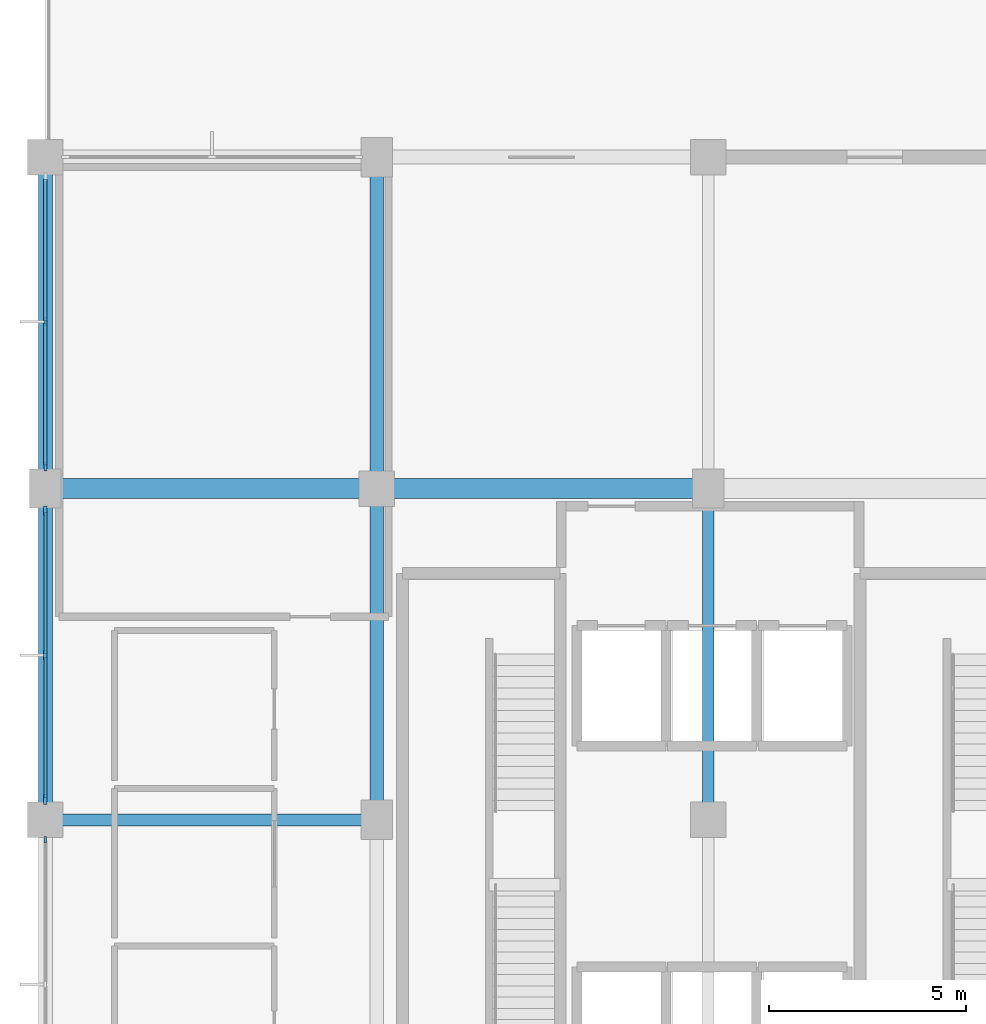
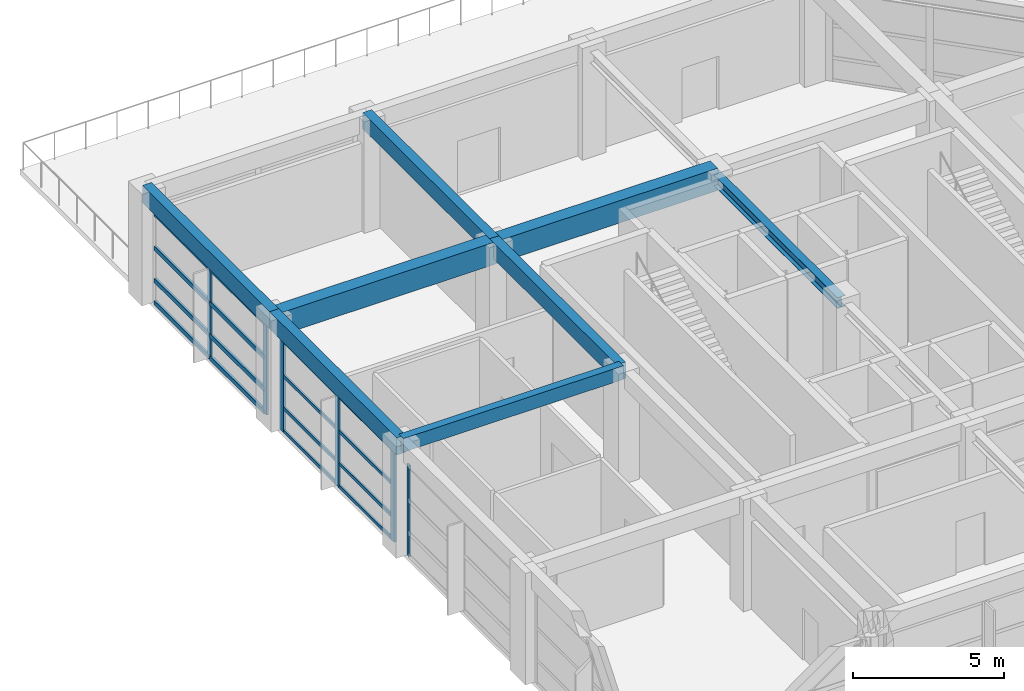
# One storey, part 4 of 10: 22 members, 8 beams, 3 elements without a shape of their own.
"""IFC4 building model written with IfcOpenShell, lengths in metres."""

from ifc_helpers import new_model, si_unit, direction, frame, origin, origin_2d, place, context, subcontext, project, spatial, rectangle, i_section, extrude, material, material_profile, profile_set, type_object, element, aggregate, save


model = new_model("IFC4")

# Units and contexts
model_context = context("Model", 3, precision=1e-05, world=origin(), true_north=direction((0.0, 1.0)))
body_context = subcontext(model_context, "Body", "Model", "MODEL_VIEW")
ifc_project = project(units=[si_unit("LENGTHUNIT", "METRE"), si_unit("AREAUNIT", "SQUARE_METRE"), si_unit("VOLUMEUNIT", "CUBIC_METRE"), si_unit("PLANEANGLEUNIT", "RADIAN"), si_unit("MASSUNIT", "GRAM", prefix="KILO")], contexts=[model_context])

# Site, building, storey
site_placement = place(None, origin())
site = spatial("IfcSite", under=ifc_project, at=site_placement, CompositionType="ELEMENT")
building_placement = place(site_placement, origin())
building = spatial("IfcBuilding", under=site, at=building_placement, Name="Xuanlan Plaza Opera House", CompositionType="ELEMENT")
storey_placement = place(building_placement, frame((0.0, 0.0, 69.89990234375)))
storey = spatial("IfcBuildingStorey", under=building, at=storey_placement, Name="L16", CompositionType="ELEMENT", Elevation=69.89990234375)

# Curtain wall, member
ifc_material_1 = material(Name="Anodised Aluminium 6063-T6 and Low-E Glass", Category="aluminium")
curtain_wall_type_1 = type_object("IfcCurtainWallType", Name="ENV-CW-CW-03", PredefinedType="USERDEFINED", material=ifc_material_1)
curtain_wall_1_placement = place(storey_placement, origin())
curtain_wall_1 = element("IfcCurtainWall", 1, at=curtain_wall_1_placement, inside=storey, type_object=curtain_wall_type_1, Name="Unitised Curtain Wall L16-013", ObjectType="UNITISED CURTAIN WALL", PredefinedType="USERDEFINED")
ifc_material_2 = material(Name="Anodised Aluminium 6063-T6", Category="aluminium")
ifc_material_profile_1 = material_profile(ifc_material_2, rectangle(XDim=0.06494140625, YDim=0.159912109375, at=origin_2d()), Name="ALU-M 65x160")
ifc_profile_set_1 = profile_set([ifc_material_profile_1], Name="Anodised Aluminium 6063-T6")
member_type_1 = type_object("IfcMemberType", Name="ENV-CWM-01", PredefinedType="MULLION", material=ifc_profile_set_1)
member_1_placement = place(storey_placement, frame((126.0, 58.297607421875, 0.0), z_axis=(0.0, 0.0, 1.0), x_axis=(1.0, 0.0, 0.0)))
member_1 = element("IfcMember", 2, at=member_1_placement, type_object=member_type_1, Name="CW-03 mullion 1", PredefinedType="MULLION", context=body_context, shape_type="SweptSolid", body=[
    extrude(rectangle(XDim=0.06494140625, YDim=0.159912109375, at=origin_2d()), origin(), (0.0, 0.0, 1.0), 3.68017578125),
])
aggregate(curtain_wall_1, [member_1])

# Curtain wall, members
curtain_wall_type_2 = type_object("IfcCurtainWallType", Name="ENV-CW-CW-01", PredefinedType="USERDEFINED", material=ifc_material_1)
curtain_wall_2_placement = place(storey_placement, origin())
curtain_wall_2 = element("IfcCurtainWall", 3, at=curtain_wall_2_placement, inside=storey, type_object=curtain_wall_type_2, Name="Unitised Curtain Wall L16-011", ObjectType="UNITISED CURTAIN WALL", PredefinedType="USERDEFINED")
ifc_material_profile_2 = material_profile(ifc_material_2, rectangle(XDim=0.080078125, YDim=0.219970703125, at=origin_2d()), Name="ALU-M 80x220")
ifc_profile_set_2 = profile_set([ifc_material_profile_2], Name="Anodised Aluminium 6063-T6")
member_type_2 = type_object("IfcMemberType", Name="ENV-CWM-04", PredefinedType="MULLION", material=ifc_profile_set_2)
member_2_placement = place(storey_placement, frame((126.0, 71.425048828125, 0.0), z_axis=(0.0, 0.0, 1.0), x_axis=(1.0, 0.0, 0.0)))
member_2 = element("IfcMember", 4, at=member_2_placement, type_object=member_type_2, Name="CW-01 mullion 2", PredefinedType="MULLION", context=body_context, shape_type="SweptSolid", body=[
    extrude(rectangle(XDim=0.080078125, YDim=0.219970703125, at=origin_2d()), origin(), (0.0, 0.0, 1.0), 3.68017578125),
])
member_3_placement = place(storey_placement, frame((126.0, 67.760009765625, 0.0), z_axis=(0.0, 0.0, 1.0), x_axis=(1.0, 0.0, 0.0)))
member_3 = element("IfcMember", 5, at=member_3_placement, type_object=member_type_2, Name="CW-01 mullion 3", PredefinedType="MULLION", context=body_context, shape_type="SweptSolid", body=[
    extrude(rectangle(XDim=0.080078125, YDim=0.219970703125, at=origin_2d()), origin(), (0.0, 0.0, 1.0), 3.68017578125),
])

curtain_wall_type_3 = type_object("IfcCurtainWallType", Name="ENV-CW-CW-02", PredefinedType="USERDEFINED", material=ifc_material_1)
curtain_wall_3_placement = place(storey_placement, origin())
curtain_wall_3 = element("IfcCurtainWall", 6, at=curtain_wall_3_placement, inside=storey, type_object=curtain_wall_type_3, Name="Unitised Curtain Wall L16-012", ObjectType="UNITISED CURTAIN WALL", PredefinedType="USERDEFINED")
ifc_material_profile_3 = material_profile(ifc_material_2, rectangle(XDim=0.090087890625, YDim=0.25, at=origin_2d()), Name="ALU-M 90x250")
ifc_profile_set_3 = profile_set([ifc_material_profile_3], Name="Anodised Aluminium 6063-T6")
member_type_3 = type_object("IfcMemberType", Name="ENV-CWM-05", PredefinedType="MULLION", material=ifc_profile_set_3)
member_4_placement = place(storey_placement, frame((126.0, 66.635009765625, 0.0), z_axis=(0.0, 0.0, 1.0), x_axis=(1.0, 0.0, 0.0)))
member_4 = element("IfcMember", 7, at=member_4_placement, type_object=member_type_3, Name="CW-02 mullion 1", PredefinedType="MULLION", context=body_context, shape_type="SweptSolid", body=[
    extrude(rectangle(XDim=0.090087890625, YDim=0.25, at=origin_2d()), origin(), (0.0, 0.0, 1.0), 3.68017578125),
])
member_5_placement = place(storey_placement, frame((126.0, 62.97509765625, 0.0), z_axis=(0.0, 0.0, 1.0), x_axis=(1.0, 0.0, 0.0)))
member_5 = element("IfcMember", 8, at=member_5_placement, type_object=member_type_3, Name="CW-02 mullion 2", PredefinedType="MULLION", context=body_context, shape_type="SweptSolid", body=[
    extrude(rectangle(XDim=0.090087890625, YDim=0.25, at=origin_2d()), origin(), (0.0, 0.0, 1.0), 3.68017578125),
])
member_6_placement = place(storey_placement, frame((126.0, 59.31494140625, 0.0), z_axis=(0.0, 0.0, 1.0), x_axis=(1.0, 0.0, 0.0)))
member_6 = element("IfcMember", 9, at=member_6_placement, type_object=member_type_3, Name="CW-02 mullion 3", PredefinedType="MULLION", context=body_context, shape_type="SweptSolid", body=[
    extrude(rectangle(XDim=0.090087890625, YDim=0.25, at=origin_2d()), origin(), (0.0, 0.0, 1.0), 3.68017578125),
])
ifc_material_profile_4 = material_profile(ifc_material_2, rectangle(XDim=0.070068359375, YDim=0.135009765625, at=origin_2d()), Name="ALU-T 70x135")
ifc_profile_set_4 = profile_set([ifc_material_profile_4], Name="Anodised Aluminium 6063-T6")
member_type_4 = type_object("IfcMemberType", Name="ENV-CWT-02", PredefinedType="USERDEFINED", material=ifc_profile_set_4)
member_7_placement = place(storey_placement, frame((126.0, 66.590087890625, 0.03515625), z_axis=(0.0, -1.0, 0.0), x_axis=(1.0, 0.0, 0.0)))
member_7 = element("IfcMember", 10, at=member_7_placement, type_object=member_type_4, Name="CW-02 transom 1.1", ObjectType="TRANSOM", PredefinedType="USERDEFINED", context=body_context, shape_type="SweptSolid", body=[
    extrude(rectangle(XDim=0.070068359375, YDim=0.135009765625, at=origin_2d()), origin(), (0.0, 0.0, 1.0), 3.570068359375),
])
member_8_placement = place(storey_placement, frame((126.0, 66.590087890625, 0.9501953125), z_axis=(0.0, -1.0, 0.0), x_axis=(1.0, 0.0, 0.0)))
member_8 = element("IfcMember", 11, at=member_8_placement, type_object=member_type_4, Name="CW-02 transom 1.2", ObjectType="TRANSOM", PredefinedType="USERDEFINED", context=body_context, shape_type="SweptSolid", body=[
    extrude(rectangle(XDim=0.070068359375, YDim=0.135009765625, at=origin_2d()), origin(), (0.0, 0.0, 1.0), 3.570068359375),
])
member_9_placement = place(storey_placement, frame((126.0, 66.590087890625, 2.25), z_axis=(0.0, -1.0, 0.0), x_axis=(1.0, 0.0, 0.0)))
member_9 = element("IfcMember", 12, at=member_9_placement, type_object=member_type_4, Name="CW-02 transom 1.3", ObjectType="TRANSOM", PredefinedType="USERDEFINED", context=body_context, shape_type="SweptSolid", body=[
    extrude(rectangle(XDim=0.070068359375, YDim=0.135009765625, at=origin_2d()), origin(), (0.0, 0.0, 1.0), 3.570068359375),
])
member_10_placement = place(storey_placement, frame((126.0, 66.590087890625, 3.64501953125), z_axis=(0.0, -1.0, 0.0), x_axis=(1.0, 0.0, 0.0)))
member_10 = element("IfcMember", 13, at=member_10_placement, type_object=member_type_4, Name="CW-02 transom 1.4", ObjectType="TRANSOM", PredefinedType="USERDEFINED", context=body_context, shape_type="SweptSolid", body=[
    extrude(rectangle(XDim=0.070068359375, YDim=0.135009765625, at=origin_2d()), origin(), (0.0, 0.0, 1.0), 3.570068359375),
])
member_11_placement = place(storey_placement, frame((126.0, 62.929931640625, 0.03515625), z_axis=(0.0, -1.0, 0.0), x_axis=(1.0, 0.0, 0.0)))
member_11 = element("IfcMember", 14, at=member_11_placement, type_object=member_type_4, Name="CW-02 transom 2.1", ObjectType="TRANSOM", PredefinedType="USERDEFINED", context=body_context, shape_type="SweptSolid", body=[
    extrude(rectangle(XDim=0.070068359375, YDim=0.135009765625, at=origin_2d()), origin(), (0.0, 0.0, 1.0), 3.56982421875),
])
member_12_placement = place(storey_placement, frame((126.0, 62.929931640625, 0.9501953125), z_axis=(0.0, -1.0, 0.0), x_axis=(1.0, 0.0, 0.0)))
member_12 = element("IfcMember", 15, at=member_12_placement, type_object=member_type_4, Name="CW-02 transom 2.2", ObjectType="TRANSOM", PredefinedType="USERDEFINED", context=body_context, shape_type="SweptSolid", body=[
    extrude(rectangle(XDim=0.070068359375, YDim=0.135009765625, at=origin_2d()), origin(), (0.0, 0.0, 1.0), 3.56982421875),
])
member_13_placement = place(storey_placement, frame((126.0, 62.929931640625, 2.25), z_axis=(0.0, -1.0, 0.0), x_axis=(1.0, 0.0, 0.0)))
member_13 = element("IfcMember", 16, at=member_13_placement, type_object=member_type_4, Name="CW-02 transom 2.3", ObjectType="TRANSOM", PredefinedType="USERDEFINED", context=body_context, shape_type="SweptSolid", body=[
    extrude(rectangle(XDim=0.070068359375, YDim=0.135009765625, at=origin_2d()), origin(), (0.0, 0.0, 1.0), 3.56982421875),
])
member_14_placement = place(storey_placement, frame((126.0, 62.929931640625, 3.64501953125), z_axis=(0.0, -1.0, 0.0), x_axis=(1.0, 0.0, 0.0)))
member_14 = element("IfcMember", 17, at=member_14_placement, type_object=member_type_4, Name="CW-02 transom 2.4", ObjectType="TRANSOM", PredefinedType="USERDEFINED", context=body_context, shape_type="SweptSolid", body=[
    extrude(rectangle(XDim=0.070068359375, YDim=0.135009765625, at=origin_2d()), origin(), (0.0, 0.0, 1.0), 3.56982421875),
])
aggregate(curtain_wall_3, [member_4, member_5, member_6, member_7, member_8, member_9, member_10, member_11, member_12, member_13, member_14])

# Member
ifc_material_profile_5 = material_profile(ifc_material_2, rectangle(XDim=0.090087890625, YDim=0.179931640625, at=origin_2d()), Name="ALU-T 90x180")
ifc_profile_set_5 = profile_set([ifc_material_profile_5], Name="Anodised Aluminium 6063-T6")
member_type_5 = type_object("IfcMemberType", Name="ENV-CWT-05", PredefinedType="USERDEFINED", material=ifc_profile_set_5)
member_15_placement = place(storey_placement, frame((126.0, 75.050048828125, 0.045166015625), z_axis=(0.0, -1.0, 0.0), x_axis=(1.0, 0.0, 0.0)))
member_15 = element("IfcMember", 18, at=member_15_placement, type_object=member_type_5, Name="CW-01 transom 1.1", ObjectType="TRANSOM", PredefinedType="USERDEFINED", context=body_context, shape_type="SweptSolid", body=[
    extrude(rectangle(XDim=0.090087890625, YDim=0.179931640625, at=origin_2d()), origin(), (0.0, 0.0, 1.0), 3.5849609375),
])

member_16_placement = place(storey_placement, frame((126.0, 75.050048828125, 0.9501953125), z_axis=(0.0, -1.0, 0.0), x_axis=(1.0, 0.0, 0.0)))
member_16 = element("IfcMember", 19, at=member_16_placement, type_object=member_type_5, Name="CW-01 transom 1.2", ObjectType="TRANSOM", PredefinedType="USERDEFINED", context=body_context, shape_type="SweptSolid", body=[
    extrude(rectangle(XDim=0.090087890625, YDim=0.179931640625, at=origin_2d()), origin(), (0.0, 0.0, 1.0), 3.5849609375),
])

member_17_placement = place(storey_placement, frame((126.0, 75.050048828125, 2.25), z_axis=(0.0, -1.0, 0.0), x_axis=(1.0, 0.0, 0.0)))
member_17 = element("IfcMember", 20, at=member_17_placement, type_object=member_type_5, Name="CW-01 transom 1.3", ObjectType="TRANSOM", PredefinedType="USERDEFINED", context=body_context, shape_type="SweptSolid", body=[
    extrude(rectangle(XDim=0.090087890625, YDim=0.179931640625, at=origin_2d()), origin(), (0.0, 0.0, 1.0), 3.5849609375),
])

member_18_placement = place(storey_placement, frame((126.0, 75.050048828125, 3.635009765625), z_axis=(0.0, -1.0, 0.0), x_axis=(1.0, 0.0, 0.0)))
member_18 = element("IfcMember", 21, at=member_18_placement, type_object=member_type_5, Name="CW-01 transom 1.4", ObjectType="TRANSOM", PredefinedType="USERDEFINED", context=body_context, shape_type="SweptSolid", body=[
    extrude(rectangle(XDim=0.090087890625, YDim=0.179931640625, at=origin_2d()), origin(), (0.0, 0.0, 1.0), 3.5849609375),
])

member_19_placement = place(storey_placement, frame((126.0, 71.385009765625, 0.045166015625), z_axis=(0.0, -1.0, 0.0), x_axis=(1.0, 0.0, 0.0)))
member_19 = element("IfcMember", 22, at=member_19_placement, type_object=member_type_5, Name="CW-01 transom 2.1", ObjectType="TRANSOM", PredefinedType="USERDEFINED", context=body_context, shape_type="SweptSolid", body=[
    extrude(rectangle(XDim=0.090087890625, YDim=0.179931640625, at=origin_2d()), origin(), (0.0, 0.0, 1.0), 3.5849609375),
])

member_20_placement = place(storey_placement, frame((126.0, 71.385009765625, 0.9501953125), z_axis=(0.0, -1.0, 0.0), x_axis=(1.0, 0.0, 0.0)))
member_20 = element("IfcMember", 23, at=member_20_placement, type_object=member_type_5, Name="CW-01 transom 2.2", ObjectType="TRANSOM", PredefinedType="USERDEFINED", context=body_context, shape_type="SweptSolid", body=[
    extrude(rectangle(XDim=0.090087890625, YDim=0.179931640625, at=origin_2d()), origin(), (0.0, 0.0, 1.0), 3.5849609375),
])

member_21_placement = place(storey_placement, frame((126.0, 71.385009765625, 2.25), z_axis=(0.0, -1.0, 0.0), x_axis=(1.0, 0.0, 0.0)))
member_21 = element("IfcMember", 24, at=member_21_placement, type_object=member_type_5, Name="CW-01 transom 2.3", ObjectType="TRANSOM", PredefinedType="USERDEFINED", context=body_context, shape_type="SweptSolid", body=[
    extrude(rectangle(XDim=0.090087890625, YDim=0.179931640625, at=origin_2d()), origin(), (0.0, 0.0, 1.0), 3.5849609375),
])

member_22_placement = place(storey_placement, frame((126.0, 71.385009765625, 3.635009765625), z_axis=(0.0, -1.0, 0.0), x_axis=(1.0, 0.0, 0.0)))
member_22 = element("IfcMember", 25, at=member_22_placement, type_object=member_type_5, Name="CW-01 transom 2.4", ObjectType="TRANSOM", PredefinedType="USERDEFINED", context=body_context, shape_type="SweptSolid", body=[
    extrude(rectangle(XDim=0.090087890625, YDim=0.179931640625, at=origin_2d()), origin(), (0.0, 0.0, 1.0), 3.5849609375),
])

aggregate(curtain_wall_2, [member_2, member_3, member_15, member_16, member_17, member_18, member_19, member_20, member_21, member_22])

# Beams
ifc_material_3 = material(Name="Concrete C40", Category="concrete")
ifc_material_profile_6 = material_profile(ifc_material_3, rectangle(XDim=0.5, YDim=0.89990234375, at=origin_2d()), Name="RC-BM 500x900")
ifc_profile_set_6 = profile_set([ifc_material_profile_6], Name="Concrete C40")
beam_type_1 = type_object("IfcBeamType", Name="STR-BM-B-03", PredefinedType="BEAM", material=ifc_profile_set_6)
beam_1_placement = place(storey_placement, frame((126.0, 67.199951171875, 4.050048828125), z_axis=(1.0, 0.0, 0.0), x_axis=(0.0, 1.0, 0.0)))
element("IfcBeam", 26, at=beam_1_placement, inside=storey, type_object=beam_type_1, Name="Grid Beam X L16 16-17/I", PredefinedType="BEAM", context=body_context, shape_type="SweptSolid", body=[
    extrude(rectangle(XDim=0.5, YDim=0.89990234375, at=origin_2d()), origin(), (0.0, 0.0, 1.0), 8.39990234375),
])
beam_2_placement = place(storey_placement, frame((134.39990234375, 67.199951171875, 4.050048828125), z_axis=(1.0, 0.0, 0.0), x_axis=(0.0, 1.0, 0.0)))
element("IfcBeam", 27, at=beam_2_placement, inside=storey, type_object=beam_type_1, Name="Grid Beam X L16 17-18/I", PredefinedType="BEAM", context=body_context, shape_type="SweptSolid", body=[
    extrude(rectangle(XDim=0.5, YDim=0.89990234375, at=origin_2d()), origin(), (0.0, 0.0, 1.0), 8.400146484375),
])
ifc_material_profile_7 = material_profile(ifc_material_3, rectangle(XDim=0.35009765625, YDim=0.64990234375, at=origin_2d()), Name="RC-BM 350x650")
ifc_profile_set_7 = profile_set([ifc_material_profile_7], Name="Concrete C40")
beam_type_2 = type_object("IfcBeamType", Name="STR-BM-B-08", PredefinedType="BEAM", material=ifc_profile_set_7)
beam_3_placement = place(storey_placement, frame((134.39990234375, 58.800048828125, 4.175048828125), z_axis=(0.0, 1.0, 0.0), x_axis=(-1.0, 0.0, 0.0)))
element("IfcBeam", 28, at=beam_3_placement, inside=storey, type_object=beam_type_2, Name="Grid Beam Y L16 17/H-I", PredefinedType="BEAM", context=body_context, shape_type="SweptSolid", body=[
    extrude(rectangle(XDim=0.35009765625, YDim=0.64990234375, at=origin_2d()), origin(), (0.0, 0.0, 1.0), 8.39990234375),
])
beam_4_placement = place(storey_placement, frame((134.39990234375, 67.199951171875, 4.175048828125), z_axis=(0.0, 1.0, 0.0), x_axis=(-1.0, 0.0, 0.0)))
element("IfcBeam", 29, at=beam_4_placement, inside=storey, type_object=beam_type_2, Name="Grid Beam Y L16 17/I-J", PredefinedType="BEAM", context=body_context, shape_type="SweptSolid", body=[
    extrude(rectangle(XDim=0.35009765625, YDim=0.64990234375, at=origin_2d()), origin(), (0.0, 0.0, 1.0), 8.400146484375),
])
ifc_material_profile_8 = material_profile(ifc_material_3, rectangle(XDim=0.300048828125, YDim=0.550048828125, at=origin_2d()), Name="RC-BM 300x550")
ifc_profile_set_8 = profile_set([ifc_material_profile_8], Name="Concrete C40")
beam_type_3 = type_object("IfcBeamType", Name="STR-BM-B-09", PredefinedType="BEAM", material=ifc_profile_set_8)
beam_5_placement = place(storey_placement, frame((126.0, 58.800048828125, 4.22509765625), z_axis=(1.0, 0.0, 0.0), x_axis=(0.0, 1.0, 0.0)))
element("IfcBeam", 30, at=beam_5_placement, inside=storey, type_object=beam_type_3, Name="Grid Beam X L16 16-17/H", PredefinedType="BEAM", context=body_context, shape_type="SweptSolid", body=[
    extrude(rectangle(XDim=0.300048828125, YDim=0.550048828125, at=origin_2d()), origin(), (0.0, 0.0, 1.0), 8.39990234375),
])
ifc_material_4 = material(Name="Steel Q355B", Category="steel")
ifc_material_profile_9 = material_profile(ifc_material_4, i_section(OverallWidth=0.300048828125, OverallDepth=0.43994140625, WebThickness=0.010986328125, FlangeThickness=0.01806640625, FilletRadius=0.02001953125, at=origin_2d()), Name="HM 440x300x11x18")
ifc_profile_set_9 = profile_set([ifc_material_profile_9], Name="Steel Q355B")
beam_type_4 = type_object("IfcBeamType", Name="STR-BM-SB-08", PredefinedType="BEAM", material=ifc_profile_set_9)
beam_6_placement = place(storey_placement, frame((142.800048828125, 58.800048828125, 4.045166015625), z_axis=(0.0, 1.0, 0.0), x_axis=(-1.0, 0.0, 0.0)))
element("IfcBeam", 31, at=beam_6_placement, inside=storey, type_object=beam_type_4, Name="Grid Beam Y L16 18/H-I", PredefinedType="BEAM", context=body_context, shape_type="SweptSolid", body=[
    extrude(i_section(OverallWidth=0.300048828125, OverallDepth=0.43994140625, WebThickness=0.010986328125, FlangeThickness=0.01806640625, FilletRadius=0.02001953125, at=origin_2d()), origin(), (0.0, 0.0, 1.0), 8.39990234375),
])
ifc_material_profile_10 = material_profile(ifc_material_3, rectangle(XDim=0.35009765625, YDim=0.699951171875, at=origin_2d()), Name="RC-SPD 350x700")
ifc_profile_set_10 = profile_set([ifc_material_profile_10], Name="Concrete C40")
beam_type_5 = type_object("IfcBeamType", Name="STR-BM-SP-02", PredefinedType="SPANDREL", material=ifc_profile_set_10)
beam_7_placement = place(storey_placement, frame((126.0, 58.800048828125, 4.150146484375), z_axis=(0.0, 1.0, 0.0), x_axis=(-1.0, 0.0, 0.0)))
element("IfcBeam", 32, at=beam_7_placement, inside=storey, type_object=beam_type_5, Name="Grid Beam Y L16 16/H-I", PredefinedType="SPANDREL", context=body_context, shape_type="SweptSolid", body=[
    extrude(rectangle(XDim=0.35009765625, YDim=0.699951171875, at=origin_2d()), origin(), (0.0, 0.0, 1.0), 8.39990234375),
])
beam_8_placement = place(storey_placement, frame((126.0, 67.199951171875, 4.150146484375), z_axis=(0.0, 1.0, 0.0), x_axis=(-1.0, 0.0, 0.0)))
element("IfcBeam", 33, at=beam_8_placement, inside=storey, type_object=beam_type_5, Name="Grid Beam Y L16 16/I-J", PredefinedType="SPANDREL", context=body_context, shape_type="SweptSolid", body=[
    extrude(rectangle(XDim=0.35009765625, YDim=0.699951171875, at=origin_2d()), origin(), (0.0, 0.0, 1.0), 8.400146484375),
])

save(model, "model.ifc")
